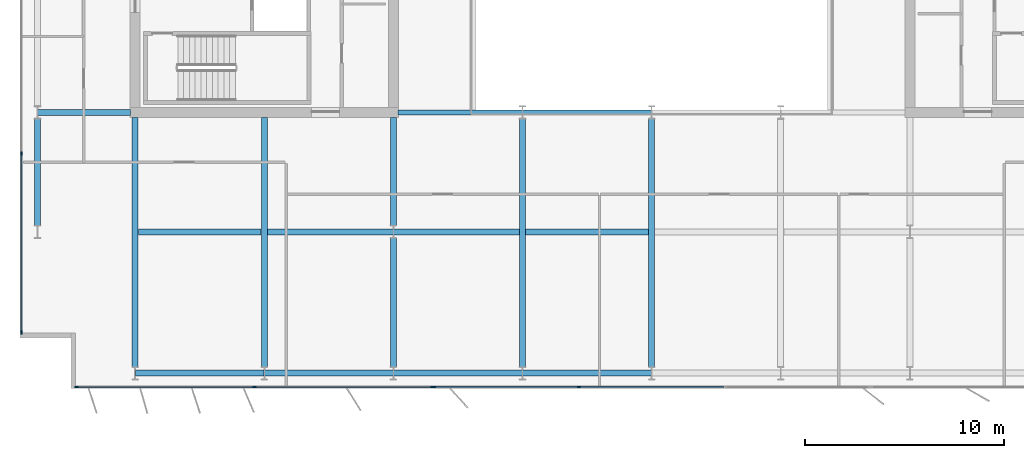
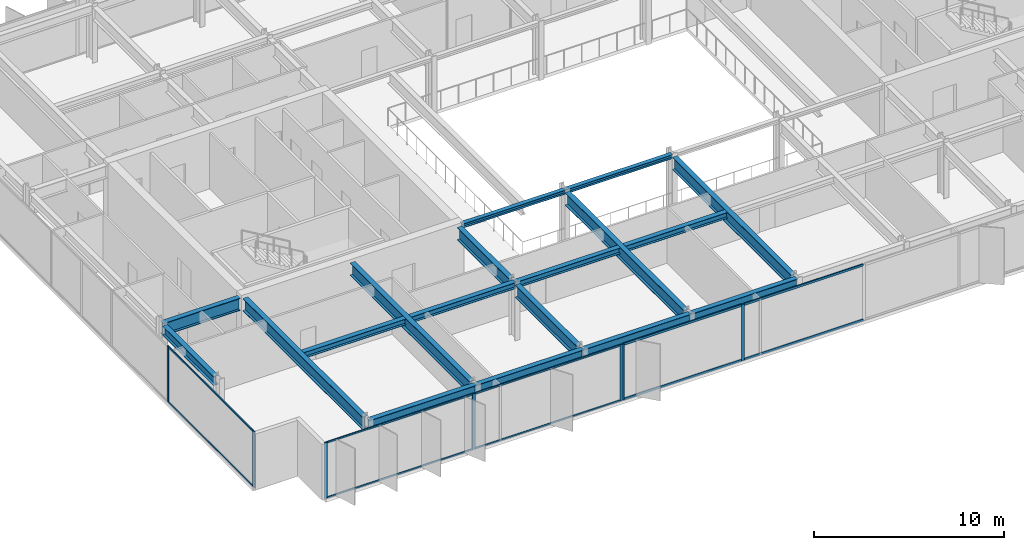
# One storey, part 4 of 19: 18 beams, 17 members, 3 elements without a shape of their own.
"""IFC4 building model written with IfcOpenShell, lengths in metres."""

from ifc_helpers import new_model, si_unit, direction, frame, origin, origin_2d, place, context, subcontext, project, spatial, rectangle, i_section, extrude, material, layer, layer_set, material_profile, profile_set, type_object, element, aggregate, save


model = new_model("IFC4")

# Units and contexts
model_context = context("Model", 3, precision=1e-05, world=origin(), true_north=direction((0.0, 1.0)))
body_context = subcontext(model_context, "Body", "Model", "MODEL_VIEW")
ifc_project = project(units=[si_unit("LENGTHUNIT", "METRE"), si_unit("AREAUNIT", "SQUARE_METRE"), si_unit("VOLUMEUNIT", "CUBIC_METRE"), si_unit("PLANEANGLEUNIT", "RADIAN"), si_unit("MASSUNIT", "GRAM", prefix="KILO")], contexts=[model_context])

# Site, building, storey
site_placement = place(None, origin())
site = spatial("IfcSite", under=ifc_project, at=site_placement, CompositionType="ELEMENT")
building_placement = place(site_placement, origin())
building = spatial("IfcBuilding", under=site, at=building_placement, Name="Putna Gate Headquarters", CompositionType="ELEMENT")
storey_placement = place(building_placement, frame((0.0, 0.0, 259.39990234375)))
storey = spatial("IfcBuildingStorey", under=building, at=storey_placement, Name="L65", CompositionType="ELEMENT", Elevation=259.39990234375)

# Beams
ifc_material_1 = material(Name="Steel S355J2", Category="steel")
ifc_material_profile_1 = material_profile(ifc_material_1, i_section(OverallWidth=0.260009765625, OverallDepth=0.260009765625, WebThickness=0.010009765625, FlangeThickness=0.017578125, at=origin_2d()), Name="Steel S355J2")
ifc_profile_set_1 = profile_set([ifc_material_profile_1], Name="Steel S355J2")
beam_type_1 = type_object("IfcBeamType", Name="BM-ATRIUM-HEB260", PredefinedType="BEAM", material=ifc_profile_set_1)
beam_1_placement = place(storey_placement, frame((26.235107421875, 19.0, 3.4580078125), z_axis=(1.0, 0.0, 0.0), x_axis=(0.0, 1.0, 0.0)))
element("IfcBeam", 1, at=beam_1_placement, inside=storey, type_object=beam_type_1, Name="L65 Atrium Edge Beam AS1", PredefinedType="BEAM", context=body_context, shape_type="SweptSolid", body=[
    extrude(i_section(OverallWidth=0.260009765625, OverallDepth=0.260009765625, WebThickness=0.010009765625, FlangeThickness=0.017578125, at=origin_2d()), origin(), (0.0, 0.0, 1.0), 6.2587890625),
])
beam_2_placement = place(storey_placement, frame((32.506103515625, 19.0, 3.4580078125), z_axis=(1.0, 0.0, 0.0), x_axis=(0.0, 1.0, 0.0)))
element("IfcBeam", 2, at=beam_2_placement, inside=storey, type_object=beam_type_1, Name="L65 Atrium Edge Beam AS2", PredefinedType="BEAM", context=body_context, shape_type="SweptSolid", body=[
    extrude(i_section(OverallWidth=0.260009765625, OverallDepth=0.260009765625, WebThickness=0.010009765625, FlangeThickness=0.017578125, at=origin_2d()), origin(), (0.0, 0.0, 1.0), 6.48779296875),
])
ifc_material_profile_2 = material_profile(ifc_material_1, i_section(OverallWidth=0.300048828125, OverallDepth=0.800048828125, WebThickness=0.017578125, FlangeThickness=0.032958984375, at=origin_2d()), Name="Steel S355J2")
ifc_profile_set_2 = profile_set([ifc_material_profile_2], Name="Steel S355J2")
beam_type_2 = type_object("IfcBeamType", Name="BM-GIRD-P-HEB800", PredefinedType="USERDEFINED", material=ifc_profile_set_2)
beam_3_placement = place(storey_placement, frame((8.0859375, 19.0, 3.18798828125), z_axis=(1.0, 0.0, 0.0), x_axis=(0.0, 1.0, 0.0)))
element("IfcBeam", 3, at=beam_3_placement, inside=storey, type_object=beam_type_2, Name="L65 West Wing Girder Y19", ObjectType="GIRDER", PredefinedType="USERDEFINED", context=body_context, shape_type="SweptSolid", body=[
    extrude(i_section(OverallWidth=0.300048828125, OverallDepth=0.800048828125, WebThickness=0.017578125, FlangeThickness=0.032958984375, at=origin_2d()), origin(), (0.0, 0.0, 1.0), 4.678955078125),
])
for number, where, z_axis, x_axis, name in (
    (4, (13.0, 6.201904296875, 3.18798828125), (0.0, 1.0, 0.0), (-1.0, 0.0, 0.0), "L65 South Primary Girder X13"),
    (5, (19.5, 6.201904296875, 3.18798828125), (0.0, 1.0, 0.0), (-1.0, 0.0, 0.0), "L65 South Primary Girder X19"),
):
    element("IfcBeam", number, at=place(storey_placement, frame(where, z_axis=z_axis, x_axis=x_axis)), inside=storey, type_object=beam_type_2, Name=name, ObjectType="GIRDER", PredefinedType="USERDEFINED", context=body_context, shape_type="SweptSolid", body=[
        extrude(i_section(OverallWidth=0.300048828125, OverallDepth=0.800048828125, WebThickness=0.017578125, FlangeThickness=0.032958984375, at=origin_2d()), origin(), (0.0, 0.0, 1.0), 12.56298828125),
    ])
beam_4_placement = place(storey_placement, frame((26.0, 6.201904296875, 3.18798828125), z_axis=(0.0, 1.0, 0.0), x_axis=(-1.0, 0.0, 0.0)))
element("IfcBeam", 6, at=beam_4_placement, inside=storey, type_object=beam_type_2, Name="L65 South Primary Girder X26-1", ObjectType="GIRDER", PredefinedType="USERDEFINED", context=body_context, shape_type="SweptSolid", body=[
    extrude(i_section(OverallWidth=0.300048828125, OverallDepth=0.800048828125, WebThickness=0.017578125, FlangeThickness=0.032958984375, at=origin_2d()), origin(), (0.0, 0.0, 1.0), 6.47607421875),
])
beam_5_placement = place(storey_placement, frame((26.0, 13.322021484375, 3.18798828125), z_axis=(0.0, 1.0, 0.0), x_axis=(-1.0, 0.0, 0.0)))
element("IfcBeam", 7, at=beam_5_placement, inside=storey, type_object=beam_type_2, Name="L65 South Primary Girder X26-2", ObjectType="GIRDER", PredefinedType="USERDEFINED", context=body_context, shape_type="SweptSolid", body=[
    extrude(i_section(OverallWidth=0.300048828125, OverallDepth=0.800048828125, WebThickness=0.017578125, FlangeThickness=0.032958984375, at=origin_2d()), origin(), (0.0, 0.0, 1.0), 5.44287109375),
])
for number, where, z_axis, x_axis, name in (
    (8, (32.5, 6.201904296875, 3.18798828125), (0.0, 1.0, 0.0), (-1.0, 0.0, 0.0), "L65 South Primary Girder X32"),
    (9, (39.0, 6.201904296875, 3.18798828125), (0.0, 1.0, 0.0), (-1.0, 0.0, 0.0), "L65 South Primary Girder X39"),
):
    element("IfcBeam", number, at=place(storey_placement, frame(where, z_axis=z_axis, x_axis=x_axis)), inside=storey, type_object=beam_type_2, Name=name, ObjectType="GIRDER", PredefinedType="USERDEFINED", context=body_context, shape_type="SweptSolid", body=[
        extrude(i_section(OverallWidth=0.300048828125, OverallDepth=0.800048828125, WebThickness=0.017578125, FlangeThickness=0.032958984375, at=origin_2d()), origin(), (0.0, 0.0, 1.0), 12.47607421875),
    ])
ifc_material_profile_3 = material_profile(ifc_material_1, i_section(OverallWidth=0.300048828125, OverallDepth=0.389892578125, WebThickness=0.010986328125, FlangeThickness=0.01904296875, at=origin_2d()), Name="Steel S355J2")
ifc_profile_set_3 = profile_set([ifc_material_profile_3], Name="Steel S355J2")
beam_type_3 = type_object("IfcBeamType", Name="BM-SEC-Z5-HEA400", PredefinedType="BEAM", material=ifc_profile_set_3)
beam_6_placement = place(storey_placement, frame((13.154052734375, 13.0, 3.39306640625), z_axis=(1.0, 0.0, 0.0), x_axis=(0.0, 1.0, 0.0)))
element("IfcBeam", 10, at=beam_6_placement, inside=storey, type_object=beam_type_3, Name="L65 South Secondary Beam 1", PredefinedType="BEAM", context=body_context, shape_type="SweptSolid", body=[
    extrude(i_section(OverallWidth=0.300048828125, OverallDepth=0.389892578125, WebThickness=0.010986328125, FlangeThickness=0.01904296875, at=origin_2d()), origin(), (0.0, 0.0, 1.0), 6.19189453125),
])
for number, where, z_axis, x_axis, name in (
    (11, (19.654052734375, 13.0, 3.39306640625), (1.0, 0.0, 0.0), (0.0, 1.0, 0.0), "L65 South Secondary Beam 2"),
    (12, (26.006103515625, 13.0, 3.39306640625), (1.0, 0.0, 0.0), (0.0, 1.0, 0.0), "L65 South Secondary Beam 3"),
):
    element("IfcBeam", number, at=place(storey_placement, frame(where, z_axis=z_axis, x_axis=x_axis)), inside=storey, type_object=beam_type_3, Name=name, PredefinedType="BEAM", context=body_context, shape_type="SweptSolid", body=[
        extrude(i_section(OverallWidth=0.300048828125, OverallDepth=0.389892578125, WebThickness=0.010986328125, FlangeThickness=0.01904296875, at=origin_2d()), origin(), (0.0, 0.0, 1.0), 6.33984375),
    ])
beam_7_placement = place(storey_placement, frame((32.654052734375, 13.0, 3.39306640625), z_axis=(1.0, 0.0, 0.0), x_axis=(0.0, 1.0, 0.0)))
element("IfcBeam", 13, at=beam_7_placement, inside=storey, type_object=beam_type_3, Name="L65 South Secondary Beam 4", PredefinedType="BEAM", context=body_context, shape_type="SweptSolid", body=[
    extrude(i_section(OverallWidth=0.300048828125, OverallDepth=0.389892578125, WebThickness=0.010986328125, FlangeThickness=0.01904296875, at=origin_2d()), origin(), (0.0, 0.0, 1.0), 6.19189453125),
])
ifc_material_profile_4 = material_profile(ifc_material_1, i_section(OverallWidth=0.300048828125, OverallDepth=0.590087890625, WebThickness=0.012939453125, FlangeThickness=0.02490234375, at=origin_2d()), Name="Steel S355J2")
ifc_profile_set_4 = profile_set([ifc_material_profile_4], Name="Steel S355J2")
beam_type_4 = type_object("IfcBeamType", Name="BM-SPAN-Z4-HEA600", PredefinedType="SPANDREL", material=ifc_profile_set_4)
for number, where, z_axis, x_axis, name in (
    (14, (13.006103515625, 5.8798828125, 3.293212890625), (1.0, 0.0, 0.0), (0.0, 1.0, 0.0), "L65 S Perimeter Spandrel 1"),
    (15, (19.506103515625, 5.8798828125, 3.293212890625), (1.0, 0.0, 0.0), (0.0, 1.0, 0.0), "L65 S Perimeter Spandrel 2"),
    (16, (26.006103515625, 5.8798828125, 3.293212890625), (1.0, 0.0, 0.0), (0.0, 1.0, 0.0), "L65 S Perimeter Spandrel 3"),
    (17, (32.506103515625, 5.8798828125, 3.293212890625), (1.0, 0.0, 0.0), (0.0, 1.0, 0.0), "L65 S Perimeter Spandrel 4"),
):
    element("IfcBeam", number, at=place(storey_placement, frame(where, z_axis=z_axis, x_axis=x_axis)), inside=storey, type_object=beam_type_4, Name=name, PredefinedType="SPANDREL", context=body_context, shape_type="SweptSolid", body=[
        extrude(i_section(OverallWidth=0.300048828125, OverallDepth=0.590087890625, WebThickness=0.012939453125, FlangeThickness=0.02490234375, at=origin_2d()), origin(), (0.0, 0.0, 1.0), 6.48779296875),
    ])
beam_8_placement = place(storey_placement, frame((8.080078125, 13.322021484375, 3.293212890625), z_axis=(0.0, 1.0, 0.0), x_axis=(-1.0, 0.0, 0.0)))
element("IfcBeam", 18, at=beam_8_placement, inside=storey, type_object=beam_type_4, Name="L65 W End Spandrel 1", PredefinedType="SPANDREL", context=body_context, shape_type="SweptSolid", body=[
    extrude(i_section(OverallWidth=0.300048828125, OverallDepth=0.590087890625, WebThickness=0.012939453125, FlangeThickness=0.02490234375, at=origin_2d()), origin(), (0.0, 0.0, 1.0), 5.35595703125),
])

# Curtain wall, members
ifc_material_2 = material(Name="Anodised bronze aluminium curtain wall", Category="aluminium")
ifc_layer_1 = layer(ifc_material_2, 0.179931640625)
ifc_layer_set_1 = layer_set([ifc_layer_1], Name="Anodised bronze aluminium curtain wall")
curtain_wall_type_1 = type_object("IfcCurtainWallType", Name="CW-SYS-Z5", PredefinedType="USERDEFINED", material=ifc_layer_set_1)
curtain_wall_1_placement = place(storey_placement, origin())
curtain_wall_1 = element("IfcCurtainWall", 19, at=curtain_wall_1_placement, inside=storey, type_object=curtain_wall_type_1, Name="L65 South West Curtain Wall", ObjectType="STICK CURTAIN WALL", PredefinedType="USERDEFINED")
ifc_material_3 = material(Name="Anodised bronze aluminium EN AW-6060", Category="aluminium")
ifc_material_profile_5 = material_profile(ifc_material_3, rectangle(XDim=0.070068359375, YDim=0.179931640625, at=origin_2d()), Name="Anodised bronze aluminium EN AW-6060")
ifc_profile_set_5 = profile_set([ifc_material_profile_5], Name="Anodised bronze aluminium EN AW-6060")
member_type_1 = type_object("IfcMemberType", Name="MULL-CWM-5", PredefinedType="MULLION", material=ifc_profile_set_5)
member_1_placement = place(storey_placement, frame((10.034912109375, 5.179931640625, 0.0), z_axis=(0.0, 0.0, 1.0), x_axis=(0.0, 1.0, 0.0)))
member_1 = element("IfcMember", 20, at=member_1_placement, type_object=member_type_1, Name="CWS-5 mullion 1", PredefinedType="MULLION", context=body_context, shape_type="SweptSolid", body=[
    extrude(rectangle(XDim=0.070068359375, YDim=0.179931640625, at=origin_2d()), origin(), (0.0, 0.0, 1.0), 3.588134765625),
])
member_2_placement = place(storey_placement, frame((19.0, 5.179931640625, 0.0), z_axis=(0.0, 0.0, 1.0), x_axis=(0.0, 1.0, 0.0)))
member_2 = element("IfcMember", 21, at=member_2_placement, type_object=member_type_1, Name="CWS-5 mullion 2", PredefinedType="MULLION", context=body_context, shape_type="SweptSolid", body=[
    extrude(rectangle(XDim=0.070068359375, YDim=0.179931640625, at=origin_2d()), origin(), (0.0, 0.0, 1.0), 3.588134765625),
])
member_3_placement = place(storey_placement, frame((27.965087890625, 5.179931640625, 0.0), z_axis=(0.0, 0.0, 1.0), x_axis=(0.0, 1.0, 0.0)))
member_3 = element("IfcMember", 22, at=member_3_placement, type_object=member_type_1, Name="CWS-5 mullion 3", PredefinedType="MULLION", context=body_context, shape_type="SweptSolid", body=[
    extrude(rectangle(XDim=0.070068359375, YDim=0.179931640625, at=origin_2d()), origin(), (0.0, 0.0, 1.0), 3.588134765625),
])

curtain_wall_2_placement = place(storey_placement, origin())
curtain_wall_2 = element("IfcCurtainWall", 23, at=curtain_wall_2_placement, inside=storey, type_object=curtain_wall_type_1, Name="L65 West Curtain Wall", ObjectType="STICK CURTAIN WALL", PredefinedType="USERDEFINED")
member_4_placement = place(storey_placement, frame((7.280029296875, 7.93505859375, 0.0), z_axis=(0.0, 0.0, 1.0), x_axis=(-1.0, 0.0, 0.0)))
member_4 = element("IfcMember", 24, at=member_4_placement, type_object=member_type_1, Name="CWS-5 mullion 1", PredefinedType="MULLION", context=body_context, shape_type="SweptSolid", body=[
    extrude(rectangle(XDim=0.070068359375, YDim=0.179931640625, at=origin_2d()), origin(), (0.0, 0.0, 1.0), 3.588134765625),
])
member_5_placement = place(storey_placement, frame((7.280029296875, 16.949951171875, 0.0), z_axis=(0.0, 0.0, 1.0), x_axis=(-1.0, 0.0, 0.0)))
member_5 = element("IfcMember", 25, at=member_5_placement, type_object=member_type_1, Name="CWS-5 mullion 2", PredefinedType="MULLION", context=body_context, shape_type="SweptSolid", body=[
    extrude(rectangle(XDim=0.070068359375, YDim=0.179931640625, at=origin_2d()), origin(), (0.0, 0.0, 1.0), 3.588134765625),
])

ifc_layer_2 = layer(ifc_material_2, 0.179931640625)
ifc_layer_set_2 = layer_set([ifc_layer_2], Name="Anodised bronze aluminium curtain wall")
curtain_wall_type_2 = type_object("IfcCurtainWallType", Name="CW-SYS-ATR", PredefinedType="USERDEFINED", material=ifc_layer_set_2)
curtain_wall_3_placement = place(storey_placement, origin())
curtain_wall_3 = element("IfcCurtainWall", 26, at=curtain_wall_3_placement, inside=storey, type_object=curtain_wall_type_2, Name="L65 South Atrium Clear Glazing", ObjectType="ATRIUM GLAZING", PredefinedType="USERDEFINED")
ifc_material_profile_6 = material_profile(ifc_material_3, rectangle(XDim=0.070068359375, YDim=0.179931640625, at=origin_2d()), Name="Anodised bronze aluminium EN AW-6060")
ifc_profile_set_6 = profile_set([ifc_material_profile_6], Name="Anodised bronze aluminium EN AW-6060")
member_type_2 = type_object("IfcMemberType", Name="MULL-CWM-AT", PredefinedType="MULLION", material=ifc_profile_set_6)
member_6_placement = place(storey_placement, frame((28.034912109375, 5.179931640625, 0.0), z_axis=(0.0, 0.0, 1.0), x_axis=(0.0, 1.0, 0.0)))
member_6 = element("IfcMember", 27, at=member_6_placement, type_object=member_type_2, Name="CWS-AT mullion 1", PredefinedType="MULLION", context=body_context, shape_type="SweptSolid", body=[
    extrude(rectangle(XDim=0.070068359375, YDim=0.179931640625, at=origin_2d()), origin(), (0.0, 0.0, 1.0), 3.588134765625),
])
member_7_placement = place(storey_placement, frame((35.333251953125, 5.179931640625, 0.0), z_axis=(0.0, 0.0, 1.0), x_axis=(0.0, 1.0, 0.0)))
member_7 = element("IfcMember", 28, at=member_7_placement, type_object=member_type_2, Name="CWS-AT mullion 2", PredefinedType="MULLION", context=body_context, shape_type="SweptSolid", body=[
    extrude(rectangle(XDim=0.070068359375, YDim=0.179931640625, at=origin_2d()), origin(), (0.0, 0.0, 1.0), 3.588134765625),
])

# Member
ifc_material_profile_7 = material_profile(ifc_material_3, rectangle(XDim=0.06005859375, YDim=0.10009765625, at=origin_2d()), Name="Anodised bronze aluminium EN AW-6060")
ifc_profile_set_7 = profile_set([ifc_material_profile_7], Name="Anodised bronze aluminium EN AW-6060")
member_type_3 = type_object("IfcMemberType", Name="TRAN-CWT-5", PredefinedType="USERDEFINED", material=ifc_profile_set_7)
member_8_placement = place(storey_placement, frame((10.070068359375, 5.179931640625, 0.030029296875), z_axis=(1.0, 0.0, 0.0), x_axis=(0.0, 1.0, 0.0)))
member_8 = element("IfcMember", 29, at=member_8_placement, type_object=member_type_3, Name="CWS-5 transom 1.1", ObjectType="TRANSOM", PredefinedType="USERDEFINED", context=body_context, shape_type="SweptSolid", body=[
    extrude(rectangle(XDim=0.06005859375, YDim=0.10009765625, at=origin_2d()), origin(), (0.0, 0.0, 1.0), 8.89501953125),
])

member_9_placement = place(storey_placement, frame((10.070068359375, 5.179931640625, 3.55810546875), z_axis=(1.0, 0.0, 0.0), x_axis=(0.0, 1.0, 0.0)))
member_9 = element("IfcMember", 30, at=member_9_placement, type_object=member_type_3, Name="CWS-5 transom 1.2", ObjectType="TRANSOM", PredefinedType="USERDEFINED", context=body_context, shape_type="SweptSolid", body=[
    extrude(rectangle(XDim=0.06005859375, YDim=0.10009765625, at=origin_2d()), origin(), (0.0, 0.0, 1.0), 8.89501953125),
])

member_10_placement = place(storey_placement, frame((19.034912109375, 5.179931640625, 0.030029296875), z_axis=(1.0, 0.0, 0.0), x_axis=(0.0, 1.0, 0.0)))
member_10 = element("IfcMember", 31, at=member_10_placement, type_object=member_type_3, Name="CWS-5 transom 2.1", ObjectType="TRANSOM", PredefinedType="USERDEFINED", context=body_context, shape_type="SweptSolid", body=[
    extrude(rectangle(XDim=0.06005859375, YDim=0.10009765625, at=origin_2d()), origin(), (0.0, 0.0, 1.0), 8.89501953125),
])

member_11_placement = place(storey_placement, frame((19.034912109375, 5.179931640625, 3.55810546875), z_axis=(1.0, 0.0, 0.0), x_axis=(0.0, 1.0, 0.0)))
member_11 = element("IfcMember", 32, at=member_11_placement, type_object=member_type_3, Name="CWS-5 transom 2.2", ObjectType="TRANSOM", PredefinedType="USERDEFINED", context=body_context, shape_type="SweptSolid", body=[
    extrude(rectangle(XDim=0.06005859375, YDim=0.10009765625, at=origin_2d()), origin(), (0.0, 0.0, 1.0), 8.89501953125),
])

aggregate(curtain_wall_1, [member_1, member_2, member_3, member_8, member_9, member_10, member_11])

member_12_placement = place(storey_placement, frame((7.280029296875, 7.969970703125, 0.030029296875), z_axis=(0.0, 1.0, 0.0), x_axis=(-1.0, 0.0, 0.0)))
member_12 = element("IfcMember", 33, at=member_12_placement, type_object=member_type_3, Name="CWS-5 transom 1.1", ObjectType="TRANSOM", PredefinedType="USERDEFINED", context=body_context, shape_type="SweptSolid", body=[
    extrude(rectangle(XDim=0.06005859375, YDim=0.10009765625, at=origin_2d()), origin(), (0.0, 0.0, 1.0), 8.945068359375),
])

member_13_placement = place(storey_placement, frame((7.280029296875, 7.969970703125, 3.55810546875), z_axis=(0.0, 1.0, 0.0), x_axis=(-1.0, 0.0, 0.0)))
member_13 = element("IfcMember", 34, at=member_13_placement, type_object=member_type_3, Name="CWS-5 transom 1.2", ObjectType="TRANSOM", PredefinedType="USERDEFINED", context=body_context, shape_type="SweptSolid", body=[
    extrude(rectangle(XDim=0.06005859375, YDim=0.10009765625, at=origin_2d()), origin(), (0.0, 0.0, 1.0), 8.945068359375),
])

aggregate(curtain_wall_2, [member_4, member_5, member_12, member_13])

ifc_material_profile_8 = material_profile(ifc_material_3, rectangle(XDim=0.070068359375, YDim=0.139892578125, at=origin_2d()), Name="Anodised bronze aluminium EN AW-6060")
ifc_profile_set_8 = profile_set([ifc_material_profile_8], Name="Anodised bronze aluminium EN AW-6060")
member_type_4 = type_object("IfcMemberType", Name="TRAN-CWT-AT", PredefinedType="USERDEFINED", material=ifc_profile_set_8)
member_14_placement = place(storey_placement, frame((28.070068359375, 5.179931640625, 0.03515625), z_axis=(1.0, 0.0, 0.0), x_axis=(0.0, 1.0, 0.0)))
member_14 = element("IfcMember", 35, at=member_14_placement, type_object=member_type_4, Name="CWS-AT transom 1.1", ObjectType="TRANSOM", PredefinedType="USERDEFINED", context=body_context, shape_type="SweptSolid", body=[
    extrude(rectangle(XDim=0.070068359375, YDim=0.139892578125, at=origin_2d()), origin(), (0.0, 0.0, 1.0), 7.228271484375),
])

member_15_placement = place(storey_placement, frame((28.070068359375, 5.179931640625, 3.552978515625), z_axis=(1.0, 0.0, 0.0), x_axis=(0.0, 1.0, 0.0)))
member_15 = element("IfcMember", 36, at=member_15_placement, type_object=member_type_4, Name="CWS-AT transom 1.2", ObjectType="TRANSOM", PredefinedType="USERDEFINED", context=body_context, shape_type="SweptSolid", body=[
    extrude(rectangle(XDim=0.070068359375, YDim=0.139892578125, at=origin_2d()), origin(), (0.0, 0.0, 1.0), 7.228271484375),
])

member_16_placement = place(storey_placement, frame((35.368408203125, 5.179931640625, 0.03515625), z_axis=(1.0, 0.0, 0.0), x_axis=(0.0, 1.0, 0.0)))
member_16 = element("IfcMember", 37, at=member_16_placement, type_object=member_type_4, Name="CWS-AT transom 2.1", ObjectType="TRANSOM", PredefinedType="USERDEFINED", context=body_context, shape_type="SweptSolid", body=[
    extrude(rectangle(XDim=0.070068359375, YDim=0.139892578125, at=origin_2d()), origin(), (0.0, 0.0, 1.0), 7.26318359375),
])

member_17_placement = place(storey_placement, frame((35.368408203125, 5.179931640625, 3.552978515625), z_axis=(1.0, 0.0, 0.0), x_axis=(0.0, 1.0, 0.0)))
member_17 = element("IfcMember", 38, at=member_17_placement, type_object=member_type_4, Name="CWS-AT transom 2.2", ObjectType="TRANSOM", PredefinedType="USERDEFINED", context=body_context, shape_type="SweptSolid", body=[
    extrude(rectangle(XDim=0.070068359375, YDim=0.139892578125, at=origin_2d()), origin(), (0.0, 0.0, 1.0), 7.26318359375),
])

aggregate(curtain_wall_3, [member_6, member_7, member_14, member_15, member_16, member_17])

save(model, "model.ifc")
